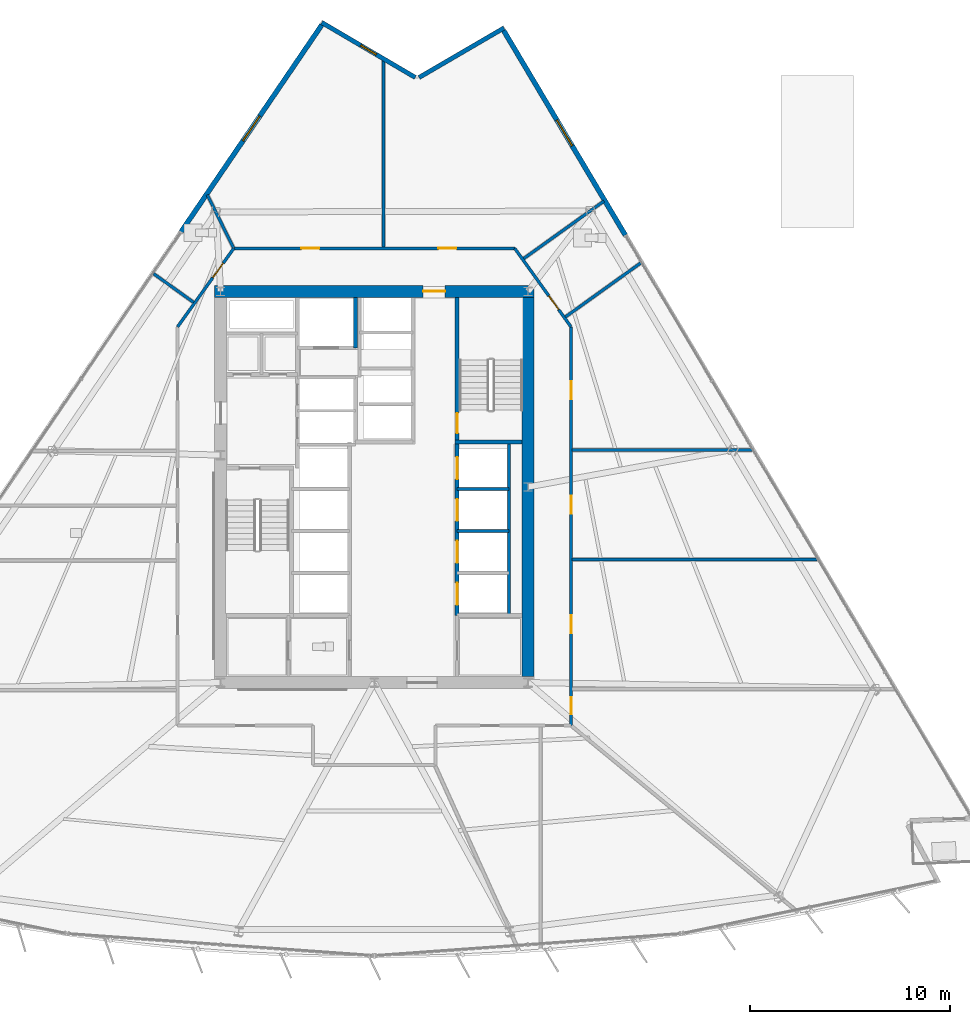
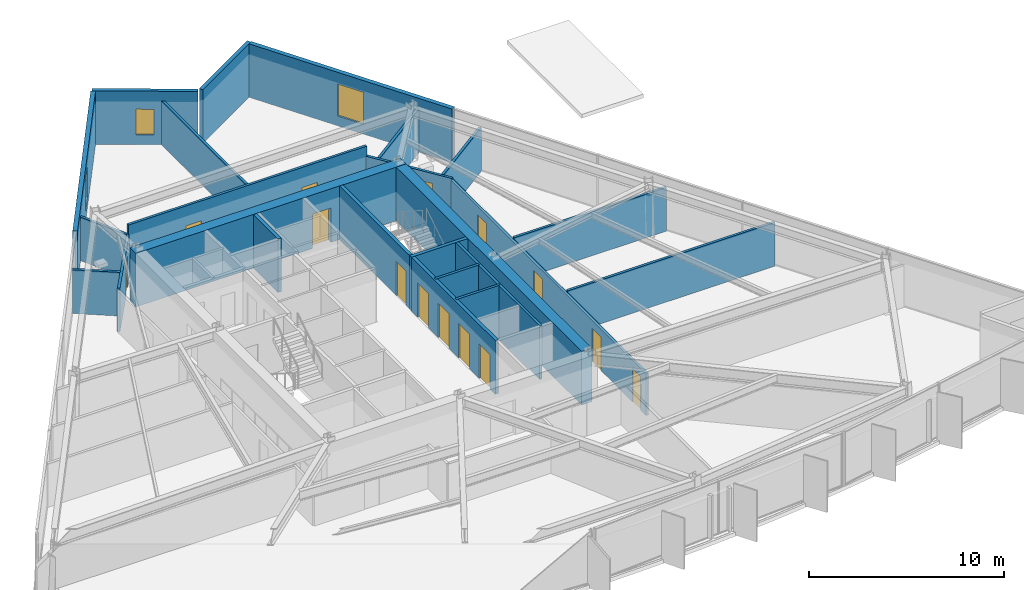
# One storey, part 10 of 16: 24 walls, 14 doors, 3 windows, 17 openings.
"""IFC4 building model written with IfcOpenShell, lengths in metres."""

import ifcopenshell
import ifcopenshell.guid

model = None  # the IFC model being written
_history = None  # IfcOwnerHistory: only IFC2X3 demands one
_inside = {}  # id of a spatial element -> (the spatial element, [elements in it])
_under = {}  # id of a project, library or spatial element -> (it, [spatial elements below it])
_declared = {}  # id of a project -> (the project, [libraries it declares])
_typed = {}  # id of a type object -> (the type object, [elements of that type])
_made_of = {}  # id of a material, layer set ... -> (it, [elements and type objects made of it])


def new_model(schema):
    """Start an empty IFC model of exactly this schema.

    Asked for "IFC4X3", IfcOpenShell would pick the latest addendum, in which some entities
    have other attributes; the version numbers below select the first issue.
    IFC2X3 requires an IfcOwnerHistory on every rooted entity: one is made here for all.
    """
    global model, _history
    if schema == "IFC4X3":
        model = ifcopenshell.file(schema_version=(4, 3, 0, 0))
    else:
        model = ifcopenshell.file(schema=schema)
    _inside.clear()
    _under.clear()
    _declared.clear()
    _typed.clear()
    _made_of.clear()
    _history = None
    if model.schema == "IFC2X3":
        org = make("IfcOrganization", Name="unknown")
        user = make(
            "IfcPersonAndOrganization",
            ThePerson=make("IfcPerson", FamilyName="unknown"),
            TheOrganization=org,
        )
        app = make(
            "IfcApplication",
            ApplicationDeveloper=org,
            Version="unknown",
            ApplicationFullName="unknown",
            ApplicationIdentifier="unknown",
        )
        _history = make(
            "IfcOwnerHistory",
            OwningUser=user,
            OwningApplication=app,
            ChangeAction="ADDED",
            CreationDate=0,
        )
    return model


def make(cls, **values):
    """One entity of the class cls with the attributes given. An attribute that is None is left unset."""
    return model.create_entity(
        cls, **{name: value for name, value in values.items() if value is not None}
    )


def rooted(cls, **values):
    """An entity with a GlobalId (a new one), such as an element, a storey or a relation."""
    return make(cls, GlobalId=ifcopenshell.guid.new(), OwnerHistory=_history, **values)


def si_unit(unit_type, name, prefix=None):
    """IfcSIUnit, for example si_unit("LENGTHUNIT", "METRE", prefix="MILLI")."""
    return make("IfcSIUnit", UnitType=unit_type, Prefix=prefix, Name=name)


def assignment(units):
    """IfcUnitAssignment: the units of a project."""
    return None if units is None else make("IfcUnitAssignment", Units=units)


def point(xyz):
    """IfcCartesianPoint."""
    return None if xyz is None else make("IfcCartesianPoint", Coordinates=xyz)


def direction(xyz):
    """IfcDirection."""
    return None if xyz is None else make("IfcDirection", DirectionRatios=xyz)


def frame(location, z_axis=None, x_axis=None):
    """IfcAxis2Placement3D, a coordinate frame: its origin and axes. An axis left out is left unset."""
    return make(
        "IfcAxis2Placement3D",
        Location=point(location),
        Axis=direction(z_axis),
        RefDirection=direction(x_axis),
    )


def frame_2d(location, x_axis=None):
    """IfcAxis2Placement2D, a coordinate frame in the plane: its origin and x axis."""
    return make(
        "IfcAxis2Placement2D", Location=point(location), RefDirection=direction(x_axis)
    )


def origin():
    """The frame at (0, 0, 0) with its axes left unset."""
    return frame((0.0, 0.0, 0.0))


def place(relative_to, where):
    """IfcLocalPlacement: puts the frame where relative to a parent placement (None: the world)."""
    return make(
        "IfcLocalPlacement", PlacementRelTo=relative_to, RelativePlacement=where
    )


def context(
    kind, dimensions, precision=None, world=None, true_north=None, identifier=None
):
    """IfcGeometricRepresentationContext, for example the 3D "Model" context."""
    return make(
        "IfcGeometricRepresentationContext",
        ContextIdentifier=identifier,
        ContextType=kind,
        CoordinateSpaceDimension=dimensions,
        Precision=precision,
        WorldCoordinateSystem=world,
        TrueNorth=true_north,
    )


def subcontext(parent, identifier, kind, view, scale=None):
    """IfcGeometricRepresentationSubContext, for example "Body" below "Model"."""
    return make(
        "IfcGeometricRepresentationSubContext",
        ContextIdentifier=identifier,
        ContextType=kind,
        ParentContext=parent,
        TargetScale=scale,
        TargetView=view,
    )


def project(units=None, contexts=None):
    """IfcProject with its units and contexts."""
    return rooted(
        "IfcProject",
        Name="project",
        RepresentationContexts=contexts,
        UnitsInContext=assignment(units),
    )


def spatial(cls, under=None, at=None, **own):
    """A site, building, storey or space (cls), placed at a placement, below another one or the project."""
    s = rooted(cls, ObjectPlacement=at, **own)
    if under is not None:
        _under.setdefault(under.id(), (under, []))[1].append(s)
    return s


def profile(cls, at=None, kind="AREA", **sizes):
    """A parametric profile (cls). Its sizes go by their IFC names, for example OverallWidth=200.0."""
    return make(cls, ProfileType=kind, Position=at, **sizes)


def rectangle(**sizes):
    """IfcRectangleProfileDef."""
    return profile("IfcRectangleProfileDef", **sizes)


def extrude(swept, where, along, depth):
    """IfcExtrudedAreaSolid: the profile swept, set in the frame where, extruded along a direction by depth."""
    return make(
        "IfcExtrudedAreaSolid",
        SweptArea=swept,
        Position=where,
        ExtrudedDirection=direction(along),
        Depth=depth,
    )


def shape(context_of_items, identifier, shape_type, items):
    """IfcShapeRepresentation: the items that make up one representation, for example the "Body"."""
    return make(
        "IfcShapeRepresentation",
        ContextOfItems=context_of_items,
        RepresentationIdentifier=identifier,
        RepresentationType=shape_type,
        Items=items,
    )


def material(Name=None, Category=None):
    """IfcMaterial."""
    return make("IfcMaterial", Name=Name, Category=Category)


def layer(
    of_material, thickness, ventilated=None, Name=None, Category=None, Priority=None
):
    """IfcMaterialLayer: one layer of a wall or slab, of a material (None: an air gap)."""
    return make(
        "IfcMaterialLayer",
        Material=of_material,
        LayerThickness=thickness,
        IsVentilated=ventilated,
        Name=Name,
        Category=Category,
        Priority=Priority,
    )


def layer_set(layers, Name=None):
    """IfcMaterialLayerSet."""
    return make("IfcMaterialLayerSet", MaterialLayers=layers, LayerSetName=Name)


def made_of(thing, what):
    """Note that an element or type object is made of a material, layer set ...; save() writes the relation."""
    if what is not None:
        _made_of.setdefault(what.id(), (what, []))[1].append(thing)
    return thing


def type_object(cls, material=None, **own):
    """A type object (cls), such as IfcWallType, which elements share."""
    return made_of(rooted(cls, **own), material)


def element(
    cls,
    number,
    at=None,
    inside=None,
    cuts=None,
    type_object=None,
    material=None,
    context=None,
    identifier="Body",
    shape_type=None,
    held_by="IfcProductDefinitionShape",
    body=None,
    shapes=None,
    **own,
):
    """One element of the class cls, such as IfcWall. Its Tag is "e" and its number.

    at: its placement. inside: the storey or other place that contains it. cuts: it is an
    opening in that element (IfcRelVoidsElement). A single representation is given by context,
    identifier, shape_type and body (its items); several are given by shapes. held_by: the class
    of the entity that holds the representations. save() writes the other relations.
    """
    e = rooted(cls, Tag="e%d" % number, ObjectPlacement=at, **own)
    if body is not None:
        shapes = [shape(context, identifier, shape_type, body)]
    if shapes is not None:
        e.Representation = make(held_by, Representations=shapes)
    if inside is not None:
        _inside.setdefault(inside.id(), (inside, []))[1].append(e)
    if cuts is not None:
        rooted(
            "IfcRelVoidsElement", RelatingBuildingElement=cuts, RelatedOpeningElement=e
        )
    if type_object is not None:
        _typed.setdefault(type_object.id(), (type_object, []))[1].append(e)
    return made_of(e, material)


def fill(opening, filler):
    """IfcRelFillsElement: the door or window that sits in an opening."""
    return rooted(
        "IfcRelFillsElement",
        RelatingOpeningElement=opening,
        RelatedBuildingElement=filler,
    )


def aggregate(whole, parts):
    """IfcRelAggregates: a whole, such as a stair, and the parts it consists of."""
    return rooted("IfcRelAggregates", RelatingObject=whole, RelatedObjects=parts)


def save(model, path):
    """Write the relations noted so far, then the file.

    IfcRelAggregates (storeys below a building ...), IfcRelContainedInSpatialStructure (elements
    in a storey), IfcRelDefinesByType, IfcRelAssociatesMaterial and IfcRelDeclares: one each for
    every whole, place, type object, material and project.
    """
    for whole, parts in _under.values():
        aggregate(whole, parts)
    for where, things in _inside.values():
        rooted(
            "IfcRelContainedInSpatialStructure",
            RelatedElements=things,
            RelatingStructure=where,
        )
    for kind, things in _typed.values():
        rooted("IfcRelDefinesByType", RelatedObjects=things, RelatingType=kind)
    for what, things in _made_of.values():
        rooted("IfcRelAssociatesMaterial", RelatedObjects=things, RelatingMaterial=what)
    for by, libraries in _declared.values():
        rooted("IfcRelDeclares", RelatingContext=by, RelatedDefinitions=libraries)
    model.write(path)


model = new_model("IFC4")

# Units and contexts
model_context = context("Model", 3, precision=1e-05, world=origin(), true_north=direction((0.0, 1.0)))
body_context = subcontext(model_context, "Body", "Model", "MODEL_VIEW")
ifc_project = project(units=[si_unit("LENGTHUNIT", "METRE"), si_unit("AREAUNIT", "SQUARE_METRE"), si_unit("VOLUMEUNIT", "CUBIC_METRE"), si_unit("PLANEANGLEUNIT", "RADIAN"), si_unit("MASSUNIT", "GRAM", prefix="KILO")], contexts=[model_context])

# Site, building, storey
site_placement = place(None, origin())
site = spatial("IfcSite", under=ifc_project, at=site_placement, CompositionType="ELEMENT")
building_placement = place(site_placement, origin())
building = spatial("IfcBuilding", under=site, at=building_placement, Name="Savorim Split Tower", CompositionType="ELEMENT")
storey_placement = place(building_placement, frame((0.0, 0.0, 30.0)))
storey = spatial("IfcBuildingStorey", under=building, at=storey_placement, Name="L07", CompositionType="ELEMENT", Elevation=30.0)

# Wall, opening, door
ifc_material_1 = material(Name="Concrete C60/75", Category="concrete")
ifc_layer_1 = layer(ifc_material_1, 0.60009765625)
ifc_layer_set_1 = layer_set([ifc_layer_1], Name="WAL-COR-SH600")
wall_type_1 = type_object("IfcWallType", Name="WAL-COR-SH600", PredefinedType="SHEAR", material=ifc_layer_set_1)
wall_1_placement = place(storey_placement, frame((8.0, 10.199951171875, 0.0), z_axis=(0.0, 0.0, 1.0), x_axis=(-1.0, 0.0, 0.0)))
wall_1 = element("IfcWall", 1, at=wall_1_placement, inside=storey, type_object=wall_type_1, Name="L07 Offset Core North Shear Wall", PredefinedType="SHEAR", context=body_context, shape_type="SweptSolid", body=[
    extrude(rectangle(XDim=16.0, YDim=0.60009765625, at=frame_2d((8.0, 0.0))), origin(), (0.0, 0.0, 1.0), 3.35009765625),
])
opening_1_placement = place(wall_1_placement, frame((4.449951171875, 0.0, 0.0)))
opening_1 = element("IfcOpeningElement", 2, at=opening_1_placement, cuts=wall_1, Name="Opening DI-03", PredefinedType="OPENING", context=body_context, shape_type="SweptSolid", body=[
    extrude(rectangle(XDim=1.10009765625, YDim=2.14990234375, at=frame_2d((0.550048828125, 1.074951171875))), frame((0.0, 0.31005859375, 0.0), z_axis=(0.0, -1.0, 0.0), x_axis=(1.0, 0.0, 0.0)), (0.0, 0.0, 1.0), 0.6201171875),
])
ifc_material_2 = material(Name="Timber Fire Door Leaf", Category="wood")
door_type_1 = type_object("IfcDoorType", Name="DOR-FIR-1100", OperationType="NOTDEFINED", PredefinedType="DOOR", material=ifc_material_2)
door_1_placement = place(opening_1_placement, origin())
door_1 = element("IfcDoor", 3, at=door_1_placement, inside=storey, type_object=door_type_1, Name="DOR-L07-COR-NLOB - L07 North Corridor Lobby Fire Door", OperationType="SINGLE_SWING_RIGHT", OverallHeight=2.14990234375, OverallWidth=1.10009765625, PredefinedType="DOOR", context=body_context, shape_type="SweptSolid", body=[
    extrude(rectangle(XDim=1.10009765625, YDim=2.14990234375, at=frame_2d((0.550048828125, 1.074951171875))), frame((0.0, 0.02490234375, 0.0), z_axis=(0.0, -1.0, 0.0), x_axis=(1.0, 0.0, 0.0)), (0.0, 0.0, 1.0), 0.050048828125),
])
fill(opening_1, door_1)

# Walls
wall_2_placement = place(storey_placement, frame((7.699951171875, 9.89990234375, 0.0), z_axis=(0.0, 0.0, 1.0), x_axis=(0.0, -1.0, 0.0)))
element("IfcWall", 4, at=wall_2_placement, inside=storey, type_object=wall_type_1, Name="L07 Offset Core East Shear Wall", PredefinedType="SHEAR", context=body_context, shape_type="SweptSolid", body=[
    extrude(rectangle(XDim=19.0, YDim=0.60009765625, at=frame_2d((9.5, 0.0))), origin(), (0.0, 0.0, 1.0), 3.35009765625),
])
ifc_material_3 = material(Name="Precast concrete C40/50", Category="concrete")
ifc_layer_2 = layer(ifc_material_3, 0.219970703125)
ifc_layer_set_2 = layer_set([ifc_layer_2], Name="WAL-EXT-CRN220")
wall_type_2 = type_object("IfcWallType", Name="WAL-EXT-CRN220", PredefinedType="SOLIDWALL", material=ifc_layer_set_2)
wall_3_placement = place(storey_placement, frame((2.2451171875, 20.9248046875, 0.0), z_axis=(0.0, 0.0, 1.0), x_axis=(0.863967641515, 0.503547330858, 0.0)))
element("IfcWall", 5, at=wall_3_placement, inside=storey, type_object=wall_type_2, Name="L07 Notched Corner Facade Wall NE1", PredefinedType="SOLIDWALL", context=body_context, shape_type="SweptSolid", body=[
    extrude(rectangle(XDim=4.924560546875, YDim=0.219970703125, at=frame_2d((2.46240234375, 0.0))), origin(), (0.0, 0.0, 1.0), 3.35009765625),
])

# Wall, opening, window
wall_4_placement = place(storey_placement, frame((-2.634765625, 23.681396484375, 0.0), z_axis=(0.0, 0.0, 1.0), x_axis=(0.862126841454, -0.506692519428, 0.0)))
wall_4 = element("IfcWall", 6, at=wall_4_placement, inside=storey, type_object=wall_type_2, Name="L07 Notched Corner Facade Wall N", PredefinedType="SOLIDWALL", context=body_context, shape_type="SweptSolid", body=[
    extrude(rectangle(XDim=5.439453125, YDim=0.219970703125, at=frame_2d((2.7197265625, 0.0))), origin(), (0.0, 0.0, 1.0), 3.35009765625),
])
opening_2_placement = place(wall_4_placement, frame((2.269775390625, 0.0, 0.6201171875)))
opening_2 = element("IfcOpeningElement", 7, at=opening_2_placement, cuts=wall_4, Name="Opening WN-10", PredefinedType="OPENING", context=body_context, shape_type="SweptSolid", body=[
    extrude(rectangle(XDim=0.89990234375, YDim=1.60009765625, at=frame_2d((0.449951171875, 0.800048828125))), frame((0.0, 0.119873046875, 0.0), z_axis=(0.0, -1.0, 0.0), x_axis=(1.0, 0.0, 0.0)), (0.0, 0.0, 1.0), 0.239990234375),
])
ifc_material_4 = material(Name="Low-E Operable Double Glazing", Category="glass")
window_type_1 = type_object("IfcWindowType", Name="WIN-TWR-900x1600", PartitioningType="SINGLE_PANEL", PredefinedType="WINDOW", material=ifc_material_4)
window_1_placement = place(opening_2_placement, origin())
window_1 = element("IfcWindow", 8, at=window_1_placement, inside=storey, type_object=window_type_1, Name="L07 Operable Corner Window N", OverallHeight=1.60009765625, OverallWidth=0.89990234375, PartitioningType="SINGLE_PANEL", PredefinedType="WINDOW", context=body_context, shape_type="SweptSolid", body=[
    extrude(rectangle(XDim=0.89990234375, YDim=1.60009765625, at=frame_2d((0.449951171875, 0.800048828125))), frame((0.0, 0.030029296875, 0.0), z_axis=(0.0, -1.0, 0.0), x_axis=(1.0, 0.0, 0.0)), (0.0, 0.0, 1.0), 0.06005859375),
])
fill(opening_2, window_1)

ifc_layer_3 = layer(ifc_material_3, 0.25)
ifc_layer_set_3 = layer_set([ifc_layer_3], Name="WAL-EXT-SPN250")
wall_type_3 = type_object("IfcWallType", Name="WAL-EXT-SPN250", PredefinedType="SOLIDWALL", material=ifc_layer_set_3)
wall_5_placement = place(storey_placement, frame((6.483154296875, 23.278076171875, 0.0), z_axis=(0.0, 0.0, 1.0), x_axis=(0.511086421046, -0.859529330635, 0.0)))
wall_5 = element("IfcWall", 9, at=wall_5_placement, inside=storey, type_object=wall_type_3, Name="L07 East Operable Window Pier", PredefinedType="SOLIDWALL", context=body_context, shape_type="SweptSolid", body=[
    extrude(rectangle(XDim=11.93505859375, YDim=0.25, at=frame_2d((5.967529296875, 0.0))), origin(), (0.0, 0.0, 1.0), 3.35009765625),
])
opening_3_placement = place(wall_5_placement, frame((5.217529296875, 0.0, 0.6201171875)))
opening_3 = element("IfcOpeningElement", 10, at=opening_3_placement, cuts=wall_5, Name="Opening WN-06", PredefinedType="OPENING", context=body_context, shape_type="SweptSolid", body=[
    extrude(rectangle(XDim=1.5, YDim=2.0, at=frame_2d((0.75, 1.0))), frame((0.0, 0.135009765625, 0.0), z_axis=(0.0, -1.0, 0.0), x_axis=(1.0, 0.0, 0.0)), (0.0, 0.0, 1.0), 0.27001953125),
])
window_type_2 = type_object("IfcWindowType", Name="WIN-TWR-1500x2000", PartitioningType="SINGLE_PANEL", PredefinedType="WINDOW", material=ifc_material_4)
window_2_placement = place(opening_3_placement, origin())
window_2 = element("IfcWindow", 11, at=window_2_placement, inside=storey, type_object=window_type_2, Name="L07 East Operable Ventilation Window", OverallHeight=2.0, OverallWidth=1.5, PartitioningType="SINGLE_PANEL", PredefinedType="WINDOW", context=body_context, shape_type="SweptSolid", body=[
    extrude(rectangle(XDim=1.5, YDim=2.0, at=frame_2d((0.75, 1.0))), frame((0.0, 0.030029296875, 0.0), z_axis=(0.0, -1.0, 0.0), x_axis=(1.0, 0.0, 0.0)), (0.0, 0.0, 1.0), 0.06005859375),
])
fill(opening_3, window_2)

wall_6_placement = place(storey_placement, frame((-9.68408203125, 13.19091796875, 0.0), z_axis=(0.0, 0.0, 1.0), x_axis=(0.562473549685, 0.826815279192, 0.0)))
wall_6 = element("IfcWall", 12, at=wall_6_placement, inside=storey, type_object=wall_type_3, Name="L07 West Operable Window Pier", PredefinedType="SOLIDWALL", context=body_context, shape_type="SweptSolid", body=[
    extrude(rectangle(XDim=12.53564453125, YDim=0.25, at=frame_2d((6.267822265625, 0.0))), origin(), (0.0, 0.0, 1.0), 3.35009765625),
])
opening_4_placement = place(wall_6_placement, frame((5.517822265625, 0.0, 0.6201171875)))
opening_4 = element("IfcOpeningElement", 13, at=opening_4_placement, cuts=wall_6, Name="Opening WN-06", PredefinedType="OPENING", context=body_context, shape_type="SweptSolid", body=[
    extrude(rectangle(XDim=1.5, YDim=2.0, at=frame_2d((0.75, 1.0))), frame((0.0, 0.135009765625, 0.0), z_axis=(0.0, -1.0, 0.0), x_axis=(1.0, 0.0, 0.0)), (0.0, 0.0, 1.0), 0.27001953125),
])
window_3_placement = place(opening_4_placement, origin())
window_3 = element("IfcWindow", 14, at=window_3_placement, inside=storey, type_object=window_type_2, Name="L07 West Operable Ventilation Window", OverallHeight=2.0, OverallWidth=1.5, PartitioningType="SINGLE_PANEL", PredefinedType="WINDOW", context=body_context, shape_type="SweptSolid", body=[
    extrude(rectangle(XDim=1.5, YDim=2.0, at=frame_2d((0.75, 1.0))), frame((0.0, 0.030029296875, 0.0), z_axis=(0.0, -1.0, 0.0), x_axis=(1.0, 0.0, 0.0)), (0.0, 0.0, 1.0), 0.06005859375),
])
fill(opening_4, window_3)

# Wall, opening, door
ifc_material_5 = material(Name="Concrete C50/60", Category="concrete")
ifc_layer_4 = layer(ifc_material_5, 0.199951171875)
ifc_layer_set_4 = layer_set([ifc_layer_4], Name="WAL-INT-RC200")
wall_type_4 = type_object("IfcWallType", Name="WAL-INT-RC200", PredefinedType="SOLIDWALL", material=ifc_layer_set_4)
wall_7_placement = place(storey_placement, frame((4.14990234375, 2.75, 0.0), z_axis=(0.0, 0.0, 1.0), x_axis=(0.0, 1.0, 0.0)))
wall_7 = element("IfcWall", 15, at=wall_7_placement, inside=storey, type_object=wall_type_4, Name="L07 Structural Shaft Wall W-L07-CR07", PredefinedType="SOLIDWALL", context=body_context, shape_type="SweptSolid", body=[
    extrude(rectangle(XDim=7.14990234375, YDim=0.199951171875, at=frame_2d((3.574951171875, 0.0))), origin(), (0.0, 0.0, 1.0), 3.35009765625),
])
opening_5_placement = place(wall_7_placement, frame((0.35009765625, 0.0, 0.0)))
opening_5 = element("IfcOpeningElement", 16, at=opening_5_placement, cuts=wall_7, Name="Opening DI-04", PredefinedType="OPENING", context=body_context, shape_type="SweptSolid", body=[
    extrude(rectangle(XDim=1.0, YDim=2.14990234375, at=frame_2d((0.5, 1.074951171875))), frame((0.0, 0.10986328125, 0.0), z_axis=(0.0, -1.0, 0.0), x_axis=(1.0, 0.0, 0.0)), (0.0, 0.0, 1.0), 0.219970703125),
])
door_type_2 = type_object("IfcDoorType", Name="DOR-FIR-1000", OperationType="NOTDEFINED", PredefinedType="DOOR", material=ifc_material_2)
door_2_placement = place(opening_5_placement, origin())
door_2 = element("IfcDoor", 17, at=door_2_placement, inside=storey, type_object=door_type_2, Name="DR-L07-ST2 - L07 Stair ST-2 Enclosure Door", OperationType="SINGLE_SWING_RIGHT", OverallHeight=2.14990234375, OverallWidth=1.0, PredefinedType="DOOR", context=body_context, shape_type="SweptSolid", body=[
    extrude(rectangle(XDim=1.0, YDim=2.14990234375, at=frame_2d((0.5, 1.074951171875))), frame((0.0, 0.02490234375, 0.0), z_axis=(0.0, -1.0, 0.0), x_axis=(1.0, 0.0, 0.0)), (0.0, 0.0, 1.0), 0.050048828125),
])
fill(opening_5, door_2)

# Walls
wall_8_placement = place(storey_placement, frame((4.050048828125, 2.64990234375, 0.0), z_axis=(0.0, 0.0, 1.0), x_axis=(1.0, 0.0, 0.0)))
element("IfcWall", 18, at=wall_8_placement, inside=storey, type_object=wall_type_4, Name="L07 Structural Shaft Wall W-L07-CR08", PredefinedType="SOLIDWALL", context=body_context, shape_type="SweptSolid", body=[
    extrude(rectangle(XDim=3.349853515625, YDim=0.199951171875, at=frame_2d((1.6748046875, 0.0))), origin(), (0.0, 0.0, 1.0), 3.35009765625),
])
wall_9_placement = place(storey_placement, frame((-0.949951171875, 7.3798828125, 0.0), z_axis=(0.0, 0.0, 1.0), x_axis=(0.0, 1.0, 0.0)))
element("IfcWall", 19, at=wall_9_placement, inside=storey, type_object=wall_type_4, Name="L07 Partition W-L07-SVLE", PredefinedType="SOLIDWALL", context=body_context, shape_type="SweptSolid", body=[
    extrude(rectangle(XDim=2.51513671875, YDim=0.199951171875, at=frame_2d((1.257568359375, 0.0))), origin(), (0.0, 0.0, 1.0), 3.35009765625),
])

# Wall, openings, doors
wall_10_placement = place(storey_placement, frame((4.14990234375, -6.050048828125, 0.0), z_axis=(0.0, 0.0, 1.0), x_axis=(0.0, 1.0, 0.0)))
wall_10 = element("IfcWall", 20, at=wall_10_placement, inside=storey, type_object=wall_type_4, Name="L07 Partition W-L07-B1FRONT", PredefinedType="SOLIDWALL", context=body_context, shape_type="SweptSolid", body=[
    extrude(rectangle(XDim=8.699951171875, YDim=0.199951171875, at=frame_2d((4.35009765625, 0.0))), origin(), (0.0, 0.0, 1.0), 3.35009765625),
])
opening_6_placement = place(wall_10_placement, frame((0.550048828125, 0.0, 0.0)))
opening_6 = element("IfcOpeningElement", 21, at=opening_6_placement, cuts=wall_10, Name="Opening LD-01", PredefinedType="OPENING", context=body_context, shape_type="SweptSolid", body=[
    extrude(rectangle(XDim=1.10009765625, YDim=2.14990234375, at=frame_2d((0.550048828125, 1.074951171875))), frame((0.0, 0.10986328125, 0.0), z_axis=(0.0, -1.0, 0.0), x_axis=(1.0, 0.0, 0.0)), (0.0, 0.0, 1.0), 0.219970703125),
])
opening_7_placement = place(wall_10_placement, frame((2.64990234375, 0.0, 0.0)))
opening_7 = element("IfcOpeningElement", 22, at=opening_7_placement, cuts=wall_10, Name="Opening LD-01", PredefinedType="OPENING", context=body_context, shape_type="SweptSolid", body=[
    extrude(rectangle(XDim=1.10009765625, YDim=2.14990234375, at=frame_2d((0.550048828125, 1.074951171875))), frame((0.0, 0.10986328125, 0.0), z_axis=(0.0, -1.0, 0.0), x_axis=(1.0, 0.0, 0.0)), (0.0, 0.0, 1.0), 0.219970703125),
])
opening_8_placement = place(wall_10_placement, frame((4.75, 0.0, 0.0)))
opening_8 = element("IfcOpeningElement", 23, at=opening_8_placement, cuts=wall_10, Name="Opening LD-01", PredefinedType="OPENING", context=body_context, shape_type="SweptSolid", body=[
    extrude(rectangle(XDim=1.10009765625, YDim=2.14990234375, at=frame_2d((0.550048828125, 1.074951171875))), frame((0.0, 0.10986328125, 0.0), z_axis=(0.0, -1.0, 0.0), x_axis=(1.0, 0.0, 0.0)), (0.0, 0.0, 1.0), 0.219970703125),
])
opening_9_placement = place(wall_10_placement, frame((6.85009765625, 0.0, 0.0)))
opening_9 = element("IfcOpeningElement", 24, at=opening_9_placement, cuts=wall_10, Name="Opening LD-01", PredefinedType="OPENING", context=body_context, shape_type="SweptSolid", body=[
    extrude(rectangle(XDim=1.10009765625, YDim=2.14990234375, at=frame_2d((0.550048828125, 1.074951171875))), frame((0.0, 0.10986328125, 0.0), z_axis=(0.0, -1.0, 0.0), x_axis=(1.0, 0.0, 0.0)), (0.0, 0.0, 1.0), 0.219970703125),
])
ifc_material_6 = material(Name="Charcoal Anodised Aluminium", Category="aluminium")
door_type_3 = type_object("IfcDoorType", Name="DOR-SLD-LD1100", OperationType="NOTDEFINED", PredefinedType="DOOR", material=ifc_material_6)
door_3_placement = place(opening_6_placement, origin())
door_3 = element("IfcDoor", 25, at=door_3_placement, inside=storey, type_object=door_type_3, Name="DR-L07-LD-PLL1 - L07 Lift PL-L1 Sliding Landing Door", OperationType="DOUBLE_DOOR_SLIDING", OverallHeight=2.14990234375, OverallWidth=1.10009765625, PredefinedType="DOOR", context=body_context, shape_type="SweptSolid", body=[
    extrude(rectangle(XDim=1.10009765625, YDim=2.14990234375, at=frame_2d((0.550048828125, 1.074951171875))), frame((0.0, 0.02490234375, 0.0), z_axis=(0.0, -1.0, 0.0), x_axis=(1.0, 0.0, 0.0)), (0.0, 0.0, 1.0), 0.050048828125),
])
fill(opening_6, door_3)
door_4_placement = place(opening_7_placement, origin())
door_4 = element("IfcDoor", 26, at=door_4_placement, inside=storey, type_object=door_type_3, Name="DR-L07-LD-PLL2 - L07 Lift PL-L2 Sliding Landing Door", OperationType="DOUBLE_DOOR_SLIDING", OverallHeight=2.14990234375, OverallWidth=1.10009765625, PredefinedType="DOOR", context=body_context, shape_type="SweptSolid", body=[
    extrude(rectangle(XDim=1.10009765625, YDim=2.14990234375, at=frame_2d((0.550048828125, 1.074951171875))), frame((0.0, 0.02490234375, 0.0), z_axis=(0.0, -1.0, 0.0), x_axis=(1.0, 0.0, 0.0)), (0.0, 0.0, 1.0), 0.050048828125),
])
fill(opening_7, door_4)
door_5_placement = place(opening_8_placement, origin())
door_5 = element("IfcDoor", 27, at=door_5_placement, inside=storey, type_object=door_type_3, Name="DR-L07-LD-PLL3 - L07 Lift PL-L3 Sliding Landing Door", OperationType="DOUBLE_DOOR_SLIDING", OverallHeight=2.14990234375, OverallWidth=1.10009765625, PredefinedType="DOOR", context=body_context, shape_type="SweptSolid", body=[
    extrude(rectangle(XDim=1.10009765625, YDim=2.14990234375, at=frame_2d((0.550048828125, 1.074951171875))), frame((0.0, 0.02490234375, 0.0), z_axis=(0.0, -1.0, 0.0), x_axis=(1.0, 0.0, 0.0)), (0.0, 0.0, 1.0), 0.050048828125),
])
fill(opening_8, door_5)
door_6_placement = place(opening_9_placement, origin())
door_6 = element("IfcDoor", 28, at=door_6_placement, inside=storey, type_object=door_type_3, Name="DR-L07-LD-PLL4 - L07 Lift PL-L4 Sliding Landing Door", OperationType="DOUBLE_DOOR_SLIDING", OverallHeight=2.14990234375, OverallWidth=1.10009765625, PredefinedType="DOOR", context=body_context, shape_type="SweptSolid", body=[
    extrude(rectangle(XDim=1.10009765625, YDim=2.14990234375, at=frame_2d((0.550048828125, 1.074951171875))), frame((0.0, 0.02490234375, 0.0), z_axis=(0.0, -1.0, 0.0), x_axis=(1.0, 0.0, 0.0)), (0.0, 0.0, 1.0), 0.050048828125),
])
fill(opening_9, door_6)

# Walls
ifc_material_7 = material(Name="Acoustic Gypsum Partition Board")
ifc_layer_5 = layer(ifc_material_7, 0.14990234375)
ifc_layer_set_5 = layer_set([ifc_layer_5], Name="WAL-PAR-150")
wall_type_5 = type_object("IfcWallType", Name="WAL-PAR-150", PredefinedType="PARTITIONING", material=ifc_layer_set_5)
wall_11_placement = place(storey_placement, frame((6.75, -6.050048828125, 0.0), z_axis=(0.0, 0.0, 1.0), x_axis=(0.0, 1.0, 0.0)))
element("IfcWall", 29, at=wall_11_placement, inside=storey, type_object=wall_type_5, Name="L07 Partition W-L07-B1BACK", PredefinedType="PARTITIONING", context=body_context, shape_type="SweptSolid", body=[
    extrude(rectangle(XDim=8.699951171875, YDim=0.14990234375, at=frame_2d((4.35009765625, 0.0))), origin(), (0.0, 0.0, 1.0), 3.35009765625),
])
for number, where, z_axis, x_axis, name in (
    (30, (4.14990234375, -1.800048828125, 0.0), (0.0, 0.0, 1.0), (1.0, 0.0, 0.0), "L07 Partition W-L07-B1DIV2"),
    (31, (4.14990234375, 0.300048828125, 0.0), (0.0, 0.0, 1.0), (1.0, 0.0, 0.0), "L07 Partition W-L07-B1DIV3"),
):
    element("IfcWall", number, at=place(storey_placement, frame(where, z_axis=z_axis, x_axis=x_axis)), inside=storey, type_object=wall_type_5, Name=name, PredefinedType="PARTITIONING", context=body_context, shape_type="SweptSolid", body=[
        extrude(rectangle(XDim=2.60009765625, YDim=0.14990234375, at=frame_2d((1.300048828125, 0.0))), origin(), (0.0, 0.0, 1.0), 3.35009765625),
    ])

# Wall, opening, door
wall_12_placement = place(storey_placement, frame((-9.860107421875, 8.42578125, 0.0), z_axis=(0.0, 0.0, 1.0), x_axis=(0.582449511476, 0.812866881218, 0.0)))
wall_12 = element("IfcWall", 32, at=wall_12_placement, inside=storey, type_object=wall_type_5, Name="L07 Partition W-L07-COR-02", PredefinedType="PARTITIONING", context=body_context, shape_type="SweptSolid", body=[
    extrude(rectangle(XDim=4.840087890625, YDim=0.14990234375, at=frame_2d((2.419921875, 0.0))), origin(), (0.0, 0.0, 1.0), 2.72509765625),
])
opening_10_placement = place(wall_12_placement, frame((3.034912109375, 0.0, 0.0)))
opening_10 = element("IfcOpeningElement", 33, at=opening_10_placement, cuts=wall_12, Name="Opening DI-11", PredefinedType="OPENING", context=body_context, shape_type="SweptSolid", body=[
    extrude(rectangle(XDim=0.89990234375, YDim=2.10009765625, at=frame_2d((0.449951171875, 1.050048828125))), frame((0.0, 0.0849609375, 0.0), z_axis=(0.0, -1.0, 0.0), x_axis=(1.0, 0.0, 0.0)), (0.0, 0.0, 1.0), 0.169921875),
])
ifc_material_8 = material(Name="Oak Veneer Acoustic Door")
door_type_4 = type_object("IfcDoorType", Name="DOR-WC-900", OperationType="NOTDEFINED", PredefinedType="DOOR", material=ifc_material_8)
door_7_placement = place(opening_10_placement, origin())
door_7 = element("IfcDoor", 34, at=door_7_placement, inside=storey, type_object=door_type_4, Name="DR-L07-RM13 - L07 Shared Bathroom Entry Door", OperationType="SINGLE_SWING_RIGHT", OverallHeight=2.10009765625, OverallWidth=0.89990234375, PredefinedType="DOOR", context=body_context, shape_type="SweptSolid", body=[
    extrude(rectangle(XDim=0.89990234375, YDim=2.10009765625, at=frame_2d((0.449951171875, 1.050048828125))), frame((0.0, 0.02490234375, 0.0), z_axis=(0.0, -1.0, 0.0), x_axis=(1.0, 0.0, 0.0)), (0.0, 0.0, 1.0), 0.050048828125),
])
fill(opening_10, door_7)

# Wall, openings, doors
wall_13_placement = place(storey_placement, frame((-7.041015625, 12.360107421875, 0.0), z_axis=(0.0, 0.0, 1.0), x_axis=(1.0, 0.0, 0.0)))
wall_13 = element("IfcWall", 35, at=wall_13_placement, inside=storey, type_object=wall_type_5, Name="L07 Partition W-L07-COR-03", PredefinedType="PARTITIONING", context=body_context, shape_type="SweptSolid", body=[
    extrude(rectangle(XDim=14.08203125, YDim=0.14990234375, at=frame_2d((7.041015625, 0.0))), origin(), (0.0, 0.0, 1.0), 3.35009765625),
])
opening_11_placement = place(wall_13_placement, frame((10.256591796875, 0.0, 0.0)))
opening_11 = element("IfcOpeningElement", 36, at=opening_11_placement, cuts=wall_13, Name="Opening DI-06", PredefinedType="OPENING", context=body_context, shape_type="SweptSolid", body=[
    extrude(rectangle(XDim=0.89990234375, YDim=2.10009765625, at=frame_2d((0.449951171875, 1.050048828125))), frame((0.0, 0.0849609375, 0.0), z_axis=(0.0, -1.0, 0.0), x_axis=(1.0, 0.0, 0.0)), (0.0, 0.0, 1.0), 0.169921875),
])
opening_12_placement = place(wall_13_placement, frame((3.393798828125, 0.0, 0.0)))
opening_12 = element("IfcOpeningElement", 37, at=opening_12_placement, cuts=wall_13, Name="Opening DI-06", PredefinedType="OPENING", context=body_context, shape_type="SweptSolid", body=[
    extrude(rectangle(XDim=0.89990234375, YDim=2.10009765625, at=frame_2d((0.449951171875, 1.050048828125))), frame((0.0, 0.0849609375, 0.0), z_axis=(0.0, -1.0, 0.0), x_axis=(1.0, 0.0, 0.0)), (0.0, 0.0, 1.0), 0.169921875),
])
door_type_5 = type_object("IfcDoorType", Name="DOR-FIR-900", OperationType="NOTDEFINED", PredefinedType="DOOR", material=ifc_material_2)
door_8_placement = place(opening_11_placement, origin())
door_8 = element("IfcDoor", 38, at=door_8_placement, inside=storey, type_object=door_type_5, Name="DR-L07-RM11 - L07 Co-Working Commons Entry Door", OperationType="SINGLE_SWING_RIGHT", OverallHeight=2.10009765625, OverallWidth=0.89990234375, PredefinedType="DOOR", context=body_context, shape_type="SweptSolid", body=[
    extrude(rectangle(XDim=0.89990234375, YDim=2.10009765625, at=frame_2d((0.449951171875, 1.050048828125))), frame((0.0, 0.02490234375, 0.0), z_axis=(0.0, -1.0, 0.0), x_axis=(1.0, 0.0, 0.0)), (0.0, 0.0, 1.0), 0.050048828125),
])
fill(opening_11, door_8)
door_9_placement = place(opening_12_placement, origin())
door_9 = element("IfcDoor", 39, at=door_9_placement, inside=storey, type_object=door_type_5, Name="DR-L07-RM12 - L07 Maker Workshop Entry Door", OperationType="SINGLE_SWING_LEFT", OverallHeight=2.10009765625, OverallWidth=0.89990234375, PredefinedType="DOOR", context=body_context, shape_type="SweptSolid", body=[
    extrude(rectangle(XDim=0.89990234375, YDim=2.10009765625, at=frame_2d((0.449951171875, 1.050048828125))), frame((0.0, 0.02490234375, 0.0), z_axis=(0.0, -1.0, 0.0), x_axis=(1.0, 0.0, 0.0)), (0.0, 0.0, 1.0), 0.050048828125),
])
fill(opening_12, door_9)

# Wall, opening, door
wall_14_placement = place(storey_placement, frame((7.041015625, 12.360107421875, 0.0), z_axis=(0.0, 0.0, 1.0), x_axis=(0.582449511476, -0.812866881218, 0.0)))
wall_14 = element("IfcWall", 40, at=wall_14_placement, inside=storey, type_object=wall_type_5, Name="L07 Partition W-L07-COR-04", PredefinedType="PARTITIONING", context=body_context, shape_type="SweptSolid", body=[
    extrude(rectangle(XDim=4.840087890625, YDim=0.14990234375, at=frame_2d((2.419921875, 0.0))), origin(), (0.0, 0.0, 1.0), 2.72509765625),
])
opening_13_placement = place(wall_14_placement, frame((2.923583984375, 0.0, 0.0)))
opening_13 = element("IfcOpeningElement", 41, at=opening_13_placement, cuts=wall_14, Name="Opening DI-13", PredefinedType="OPENING", context=body_context, shape_type="SweptSolid", body=[
    extrude(rectangle(XDim=0.85009765625, YDim=2.10009765625, at=frame_2d((0.425048828125, 1.050048828125))), frame((0.0, 0.0849609375, 0.0), z_axis=(0.0, -1.0, 0.0), x_axis=(1.0, 0.0, 0.0)), (0.0, 0.0, 1.0), 0.169921875),
])
door_type_6 = type_object("IfcDoorType", Name="DOR-FIR-850", OperationType="NOTDEFINED", PredefinedType="DOOR", material=ifc_material_2)
door_10_placement = place(opening_13_placement, origin())
door_10 = element("IfcDoor", 42, at=door_10_placement, inside=storey, type_object=door_type_6, Name="DR-L07-RM10 - L07 Shared Bathroom Entry Door", OperationType="SINGLE_SWING_LEFT", OverallHeight=2.10009765625, OverallWidth=0.85009765625, PredefinedType="DOOR", context=body_context, shape_type="SweptSolid", body=[
    extrude(rectangle(XDim=0.85009765625, YDim=2.10009765625, at=frame_2d((0.425048828125, 1.050048828125))), frame((0.0, 0.02490234375, 0.0), z_axis=(0.0, -1.0, 0.0), x_axis=(1.0, 0.0, 0.0)), (0.0, 0.0, 1.0), 0.050048828125),
])
fill(opening_13, door_10)

# Wall, openings, doors
wall_15_placement = place(storey_placement, frame((9.860107421875, 8.42578125, 0.0), z_axis=(0.0, 0.0, 1.0), x_axis=(0.0, -1.0, 0.0)))
wall_15 = element("IfcWall", 43, at=wall_15_placement, inside=storey, type_object=wall_type_5, Name="L07 Partition W-L07-COR-05", PredefinedType="PARTITIONING", context=body_context, shape_type="SweptSolid", body=[
    extrude(rectangle(XDim=19.98583984375, YDim=0.14990234375, at=frame_2d((9.992919921875, 0.0))), origin(), (0.0, 0.0, 1.0), 2.60888671875),
])
opening_14_placement = place(wall_15_placement, frame((18.571044921875, 0.0, 0.0)))
opening_14 = element("IfcOpeningElement", 44, at=opening_14_placement, cuts=wall_15, Name="Opening DI-13", PredefinedType="OPENING", context=body_context, shape_type="SweptSolid", body=[
    extrude(rectangle(XDim=0.85009765625, YDim=2.10009765625, at=frame_2d((0.425048828125, 1.050048828125))), frame((0.0, 0.0849609375, 0.0), z_axis=(0.0, -1.0, 0.0), x_axis=(1.0, 0.0, 0.0)), (0.0, 0.0, 1.0), 0.169921875),
])
opening_15_placement = place(wall_15_placement, frame((14.453125, 0.0, 0.0)))
opening_15 = element("IfcOpeningElement", 45, at=opening_15_placement, cuts=wall_15, Name="Opening DI-06", PredefinedType="OPENING", context=body_context, shape_type="SweptSolid", body=[
    extrude(rectangle(XDim=0.89990234375, YDim=2.10009765625, at=frame_2d((0.449951171875, 1.050048828125))), frame((0.0, 0.0849609375, 0.0), z_axis=(0.0, -1.0, 0.0), x_axis=(1.0, 0.0, 0.0)), (0.0, 0.0, 1.0), 0.169921875),
])
opening_16_placement = place(wall_15_placement, frame((8.461669921875, 0.0, 0.0)))
opening_16 = element("IfcOpeningElement", 46, at=opening_16_placement, cuts=wall_15, Name="Opening DI-06", PredefinedType="OPENING", context=body_context, shape_type="SweptSolid", body=[
    extrude(rectangle(XDim=0.89990234375, YDim=2.10009765625, at=frame_2d((0.449951171875, 1.050048828125))), frame((0.0, 0.0849609375, 0.0), z_axis=(0.0, -1.0, 0.0), x_axis=(1.0, 0.0, 0.0)), (0.0, 0.0, 1.0), 0.169921875),
])
opening_17_placement = place(wall_15_placement, frame((2.72509765625, 0.0, 0.0)))
opening_17 = element("IfcOpeningElement", 47, at=opening_17_placement, cuts=wall_15, Name="Opening DI-06", PredefinedType="OPENING", context=body_context, shape_type="SweptSolid", body=[
    extrude(rectangle(XDim=0.89990234375, YDim=2.10009765625, at=frame_2d((0.449951171875, 1.050048828125))), frame((0.0, 0.0849609375, 0.0), z_axis=(0.0, -1.0, 0.0), x_axis=(1.0, 0.0, 0.0)), (0.0, 0.0, 1.0), 0.169921875),
])
door_11_placement = place(opening_14_placement, origin())
door_11 = element("IfcDoor", 48, at=door_11_placement, inside=storey, type_object=door_type_6, Name="DR-L07-RM06 - L07 Maker Workshop Entry Door", OperationType="SINGLE_SWING_LEFT", OverallHeight=2.10009765625, OverallWidth=0.85009765625, PredefinedType="DOOR", context=body_context, shape_type="SweptSolid", body=[
    extrude(rectangle(XDim=0.85009765625, YDim=2.10009765625, at=frame_2d((0.425048828125, 1.050048828125))), frame((0.0, 0.02490234375, 0.0), z_axis=(0.0, -1.0, 0.0), x_axis=(1.0, 0.0, 0.0)), (0.0, 0.0, 1.0), 0.050048828125),
])
fill(opening_14, door_11)
door_12_placement = place(opening_15_placement, origin())
door_12 = element("IfcDoor", 49, at=door_12_placement, inside=storey, type_object=door_type_5, Name="DR-L07-RM07 - L07 Co-Working Commons Entry Door", OperationType="SINGLE_SWING_RIGHT", OverallHeight=2.10009765625, OverallWidth=0.89990234375, PredefinedType="DOOR", context=body_context, shape_type="SweptSolid", body=[
    extrude(rectangle(XDim=0.89990234375, YDim=2.10009765625, at=frame_2d((0.449951171875, 1.050048828125))), frame((0.0, 0.02490234375, 0.0), z_axis=(0.0, -1.0, 0.0), x_axis=(1.0, 0.0, 0.0)), (0.0, 0.0, 1.0), 0.050048828125),
])
fill(opening_15, door_12)
door_13_placement = place(opening_16_placement, origin())
door_13 = element("IfcDoor", 50, at=door_13_placement, inside=storey, type_object=door_type_5, Name="DR-L07-RM08 - L07 Maker Workshop Entry Door", OperationType="SINGLE_SWING_LEFT", OverallHeight=2.10009765625, OverallWidth=0.89990234375, PredefinedType="DOOR", context=body_context, shape_type="SweptSolid", body=[
    extrude(rectangle(XDim=0.89990234375, YDim=2.10009765625, at=frame_2d((0.449951171875, 1.050048828125))), frame((0.0, 0.02490234375, 0.0), z_axis=(0.0, -1.0, 0.0), x_axis=(1.0, 0.0, 0.0)), (0.0, 0.0, 1.0), 0.050048828125),
])
fill(opening_16, door_13)
door_14_placement = place(opening_17_placement, origin())
door_14 = element("IfcDoor", 51, at=door_14_placement, inside=storey, type_object=door_type_5, Name="DR-L07-RM09 - L07 Co-Working Commons Entry Door", OperationType="SINGLE_SWING_RIGHT", OverallHeight=2.10009765625, OverallWidth=0.89990234375, PredefinedType="DOOR", context=body_context, shape_type="SweptSolid", body=[
    extrude(rectangle(XDim=0.89990234375, YDim=2.10009765625, at=frame_2d((0.449951171875, 1.050048828125))), frame((0.0, 0.02490234375, 0.0), z_axis=(0.0, -1.0, 0.0), x_axis=(1.0, 0.0, 0.0)), (0.0, 0.0, 1.0), 0.050048828125),
])
fill(opening_17, door_14)

# Walls
wall_16_placement = place(storey_placement, frame((9.919921875, 2.25390625, 0.0), z_axis=(0.0, 0.0, 1.0), x_axis=(1.0, 0.0, 0.0)))
element("IfcWall", 52, at=wall_16_placement, inside=storey, type_object=wall_type_5, Name="L07 Partition W-L07-PRAD06", PredefinedType="PARTITIONING", context=body_context, shape_type="SweptSolid", body=[
    extrude(rectangle(XDim=9.006591796875, YDim=0.14990234375, at=frame_2d((4.50341796875, 0.0))), origin(), (0.0, 0.0, 1.0), 2.735107421875),
])
wall_17_placement = place(storey_placement, frame((7.48388671875, 11.844970703125, 0.0), z_axis=(0.0, 0.0, 1.0), x_axis=(0.812893001267, 0.582413056594, 0.0)))
element("IfcWall", 53, at=wall_17_placement, inside=storey, type_object=wall_type_5, Name="L07 Partition W-L07-PRAD07", PredefinedType="PARTITIONING", context=body_context, shape_type="SweptSolid", body=[
    extrude(rectangle(XDim=4.950927734375, YDim=0.14990234375, at=frame_2d((2.4755859375, 0.0))), origin(), (0.0, 0.0, 1.0), 2.72509765625),
])
wall_18_placement = place(storey_placement, frame((-7.06396484375, 12.404296875, 0.0), z_axis=(0.0, 0.0, 1.0), x_axis=(-0.442889132133, 0.896576386393, 0.0)))
element("IfcWall", 54, at=wall_18_placement, inside=storey, type_object=wall_type_5, Name="L07 Partition W-L07-PRAD08", PredefinedType="PARTITIONING", context=body_context, shape_type="SweptSolid", body=[
    extrude(rectangle(XDim=2.939208984375, YDim=0.14990234375, at=frame_2d((1.4697265625, 0.0))), origin(), (0.0, 0.0, 1.0), 2.72509765625),
])
wall_19_placement = place(storey_placement, frame((9.919921875, -3.225830078125, 0.0), z_axis=(0.0, 0.0, 1.0), x_axis=(1.0, 0.0, 0.0)))
element("IfcWall", 55, at=wall_19_placement, inside=storey, type_object=wall_type_5, Name="L07 Partition W-L07-SUB03", PredefinedType="PARTITIONING", context=body_context, shape_type="SweptSolid", body=[
    extrude(rectangle(XDim=12.264892578125, YDim=0.14990234375, at=frame_2d((6.13232421875, 0.0))), origin(), (0.0, 0.0, 1.0), 2.735107421875),
])
wall_20_placement = place(storey_placement, frame((9.577392578125, 8.923095703125, 0.0), z_axis=(0.0, 0.0, 1.0), x_axis=(0.812869397286, 0.582446000034, 0.0)))
element("IfcWall", 56, at=wall_20_placement, inside=storey, type_object=wall_type_5, Name="L07 Partition W-L07-SUB04", PredefinedType="PARTITIONING", context=body_context, shape_type="SweptSolid", body=[
    extrude(rectangle(XDim=4.64404296875, YDim=0.14990234375, at=frame_2d((2.322021484375, 0.0))), origin(), (0.0, 0.0, 1.0), 2.735107421875),
])
wall_21_placement = place(storey_placement, frame((0.46826171875, 12.419921875, 0.0), z_axis=(0.0, 0.0, 1.0), x_axis=(0.0, 1.0, 0.0)))
element("IfcWall", 57, at=wall_21_placement, inside=storey, type_object=wall_type_5, Name="L07 Partition W-L07-SUB05", PredefinedType="PARTITIONING", context=body_context, shape_type="SweptSolid", body=[
    extrude(rectangle(XDim=9.379638671875, YDim=0.14990234375, at=frame_2d((4.68994140625, 0.0))), origin(), (0.0, 0.0, 1.0), 2.735107421875),
])
wall_22_placement = place(storey_placement, frame((-9.0537109375, 9.654296875, 0.0), z_axis=(0.0, 0.0, 1.0), x_axis=(-0.81288131697, 0.582429364405, 0.0)))
element("IfcWall", 58, at=wall_22_placement, inside=storey, type_object=wall_type_5, Name="L07 Partition W-L07-SUB06", PredefinedType="PARTITIONING", context=body_context, shape_type="SweptSolid", body=[
    extrude(rectangle(XDim=2.4609375, YDim=0.14990234375, at=frame_2d((1.23046875, 0.0))), origin(), (0.0, 0.0, 1.0), 2.735107421875),
])

save(model, "model.ifc")
